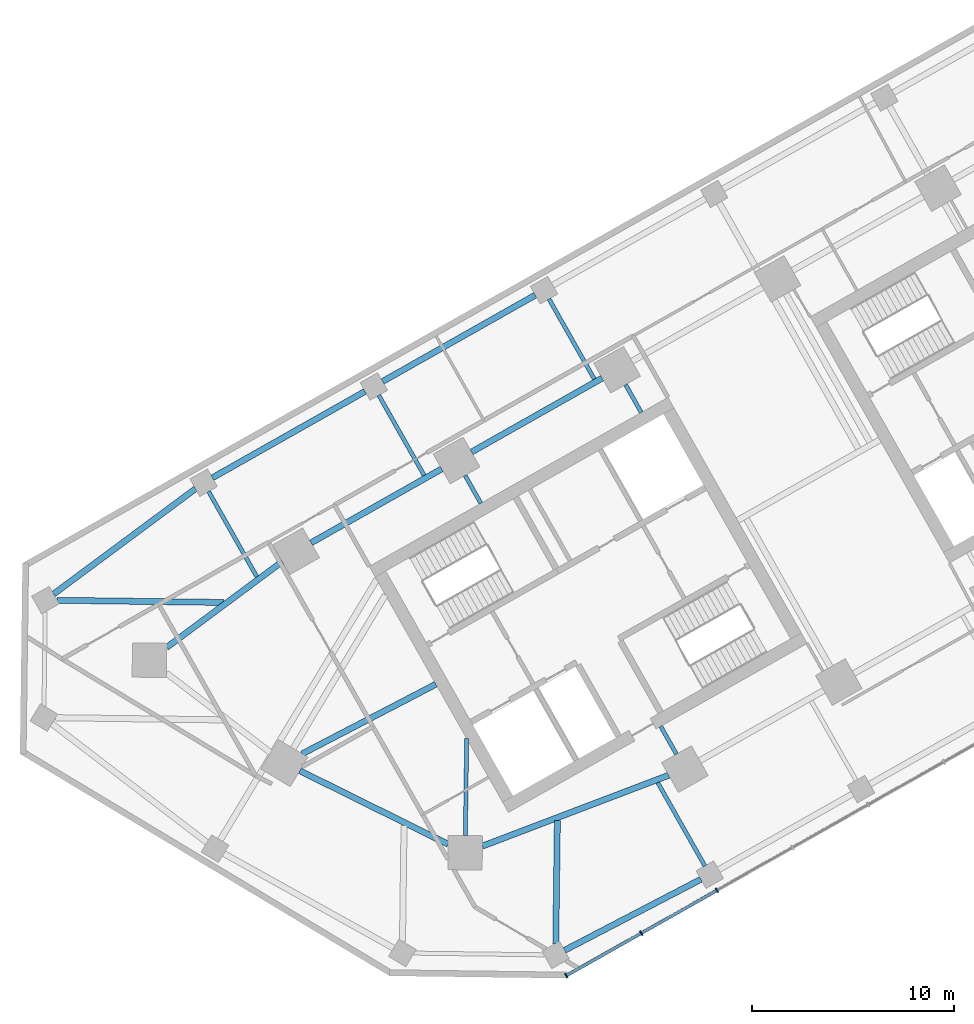
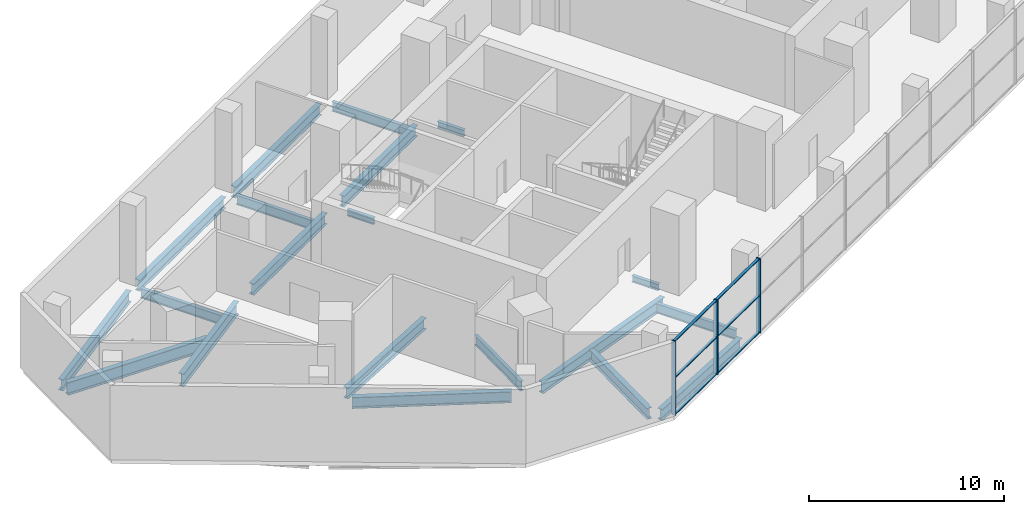
# One storey, part 2 of 18: 20 beams, 9 members, 1 element without a shape of its own.
"""IFC4 building model written with IfcOpenShell, lengths in metres."""

from ifc_helpers import new_model, si_unit, direction, frame, origin, origin_2d, place, context, subcontext, project, spatial, rectangle, i_section, extrude, material, material_profile, profile_set, type_object, element, aggregate, save


model = new_model("IFC4")

# Units and contexts
model_context = context("Model", 3, precision=1e-05, world=origin(), true_north=direction((0.0, 1.0)))
body_context = subcontext(model_context, "Body", "Model", "MODEL_VIEW")
ifc_project = project(units=[si_unit("LENGTHUNIT", "METRE"), si_unit("AREAUNIT", "SQUARE_METRE"), si_unit("VOLUMEUNIT", "CUBIC_METRE"), si_unit("PLANEANGLEUNIT", "RADIAN"), si_unit("MASSUNIT", "GRAM", prefix="KILO")], contexts=[model_context])

# Site, building, storey
site_placement = place(None, origin())
site = spatial("IfcSite", under=ifc_project, at=site_placement, CompositionType="ELEMENT")
building_placement = place(site_placement, origin())
building = spatial("IfcBuilding", under=site, at=building_placement, Name="Binnacle Exchange Tower", CompositionType="ELEMENT")
storey_placement = place(building_placement, frame((0.0, 0.0, 11.5)))
storey = spatial("IfcBuildingStorey", under=building, at=storey_placement, Name="L02", CompositionType="ELEMENT", Elevation=11.5)

# Curtain wall, members
ifc_material_1 = material(Name="Bronze anodised aluminium frame", Category="aluminium")
curtain_wall_type = type_object("IfcCurtainWallType", Name="External wall - curtain wall podium harbour front", PredefinedType="NOTDEFINED", material=ifc_material_1)
curtain_wall_placement = place(storey_placement, origin())
curtain_wall = element("IfcCurtainWall", 1, at=curtain_wall_placement, inside=storey, type_object=curtain_wall_type, Name="External wall curtain wall CW3-P06 L02", PredefinedType="NOTDEFINED")
ifc_material_profile_1 = material_profile(ifc_material_1, rectangle(XDim=0.25, YDim=0.070068359375, at=origin_2d()), Name="AL 70x250")
ifc_profile_set_1 = profile_set([ifc_material_profile_1], Name="Bronze anodised aluminium frame")
member_type_1 = type_object("IfcMemberType", Name="CW3 MULLION 70x250", PredefinedType="MULLION", material=ifc_profile_set_1)
member_1_placement = place(storey_placement, frame((-36.85400390625, 21.404052734375, 0.0), z_axis=(0.0, 0.0, 1.0), x_axis=(-0.492423763004, 0.870355581144, 0.0)))
member_1 = element("IfcMember", 2, at=member_1_placement, type_object=member_type_1, Name="CW3-P06 mullion 1", PredefinedType="MULLION", context=body_context, shape_type="SweptSolid", body=[
    extrude(rectangle(XDim=0.25, YDim=0.070068359375, at=origin_2d()), origin(), (0.0, 0.0, 1.0), 4.64990234375),
])
member_2_placement = place(storey_placement, frame((-33.136962890625, 23.50732421875, 0.0), z_axis=(0.0, 0.0, 1.0), x_axis=(-0.492423763004, 0.870355581144, 0.0)))
member_2 = element("IfcMember", 3, at=member_2_placement, type_object=member_type_1, Name="CW3-P06 mullion 2", PredefinedType="MULLION", context=body_context, shape_type="SweptSolid", body=[
    extrude(rectangle(XDim=0.25, YDim=0.070068359375, at=origin_2d()), origin(), (0.0, 0.0, 1.0), 4.64990234375),
])
member_3_placement = place(storey_placement, frame((-29.38916015625, 25.62744140625, 0.0), z_axis=(0.0, 0.0, 1.0), x_axis=(-0.492423763004, 0.870355581144, 0.0)))
member_3 = element("IfcMember", 4, at=member_3_placement, type_object=member_type_1, Name="CW3-P06 mullion 3", PredefinedType="MULLION", context=body_context, shape_type="SweptSolid", body=[
    extrude(rectangle(XDim=0.25, YDim=0.070068359375, at=origin_2d()), origin(), (0.0, 0.0, 1.0), 4.64990234375),
])
ifc_material_profile_2 = material_profile(ifc_material_1, rectangle(XDim=0.159912109375, YDim=0.050048828125, at=origin_2d()), Name="AL 160x50")
ifc_profile_set_2 = profile_set([ifc_material_profile_2], Name="Bronze anodised aluminium frame")
member_type_2 = type_object("IfcMemberType", Name="CW3 TRANSOM 50x160", PredefinedType="USERDEFINED", material=ifc_profile_set_2)
member_4_placement = place(storey_placement, frame((-36.823486328125, 21.42138671875, 0.02490234375), z_axis=(0.870356022884, 0.492422982231, 0.0), x_axis=(-0.492422982231, 0.870356022884, 0.0)))
member_4 = element("IfcMember", 5, at=member_4_placement, type_object=member_type_2, Name="CW3-P06 transom 1.1", ObjectType="TRANSOM", PredefinedType="USERDEFINED", context=body_context, shape_type="SweptSolid", body=[
    extrude(rectangle(XDim=0.159912109375, YDim=0.050048828125, at=origin_2d()), origin(), (0.0, 0.0, 1.0), 4.200927734375),
])
member_5_placement = place(storey_placement, frame((-36.823486328125, 21.42138671875, 2.324951171875), z_axis=(0.870356022884, 0.492422982231, 0.0), x_axis=(-0.492422982231, 0.870356022884, 0.0)))
member_5 = element("IfcMember", 6, at=member_5_placement, type_object=member_type_2, Name="CW3-P06 transom 1.2", ObjectType="TRANSOM", PredefinedType="USERDEFINED", context=body_context, shape_type="SweptSolid", body=[
    extrude(rectangle(XDim=0.159912109375, YDim=0.050048828125, at=origin_2d()), origin(), (0.0, 0.0, 1.0), 4.200927734375),
])
member_6_placement = place(storey_placement, frame((-36.823486328125, 21.42138671875, 4.625), z_axis=(0.870356022884, 0.492422982231, 0.0), x_axis=(-0.492422982231, 0.870356022884, 0.0)))
member_6 = element("IfcMember", 7, at=member_6_placement, type_object=member_type_2, Name="CW3-P06 transom 1.3", ObjectType="TRANSOM", PredefinedType="USERDEFINED", context=body_context, shape_type="SweptSolid", body=[
    extrude(rectangle(XDim=0.159912109375, YDim=0.050048828125, at=origin_2d()), origin(), (0.0, 0.0, 1.0), 4.200927734375),
])
member_7_placement = place(storey_placement, frame((-33.1064453125, 23.5244140625, 0.02490234375), z_axis=(0.870349143132, 0.492435141972, 0.0), x_axis=(-0.492435141972, 0.870349143132, 0.0)))
member_7 = element("IfcMember", 8, at=member_7_placement, type_object=member_type_2, Name="CW3-P06 transom 2.1", ObjectType="TRANSOM", PredefinedType="USERDEFINED", context=body_context, shape_type="SweptSolid", body=[
    extrude(rectangle(XDim=0.159912109375, YDim=0.050048828125, at=origin_2d()), origin(), (0.0, 0.0, 1.0), 4.236083984375),
])
member_8_placement = place(storey_placement, frame((-33.1064453125, 23.5244140625, 2.324951171875), z_axis=(0.870349143132, 0.492435141972, 0.0), x_axis=(-0.492435141972, 0.870349143132, 0.0)))
member_8 = element("IfcMember", 9, at=member_8_placement, type_object=member_type_2, Name="CW3-P06 transom 2.2", ObjectType="TRANSOM", PredefinedType="USERDEFINED", context=body_context, shape_type="SweptSolid", body=[
    extrude(rectangle(XDim=0.159912109375, YDim=0.050048828125, at=origin_2d()), origin(), (0.0, 0.0, 1.0), 4.236083984375),
])
member_9_placement = place(storey_placement, frame((-33.1064453125, 23.5244140625, 4.625), z_axis=(0.870349143132, 0.492435141972, 0.0), x_axis=(-0.492435141972, 0.870349143132, 0.0)))
member_9 = element("IfcMember", 10, at=member_9_placement, type_object=member_type_2, Name="CW3-P06 transom 2.3", ObjectType="TRANSOM", PredefinedType="USERDEFINED", context=body_context, shape_type="SweptSolid", body=[
    extrude(rectangle(XDim=0.159912109375, YDim=0.050048828125, at=origin_2d()), origin(), (0.0, 0.0, 1.0), 4.236083984375),
])
aggregate(curtain_wall, [member_1, member_2, member_3, member_4, member_5, member_6, member_7, member_8, member_9])

# Beams
ifc_material_2 = material(Name="Steel S355 (SHN355)", Category="steel")
ifc_material_profile_3 = material_profile(ifc_material_2, i_section(OverallWidth=0.300048828125, OverallDepth=0.699951171875, WebThickness=0.012939453125, FlangeThickness=0.02392578125, FilletRadius=0.028076171875, at=origin_2d()), Name="H 700x300x13x24")
ifc_profile_set_3 = profile_set([ifc_material_profile_3], Name="Steel S355 (SHN355)")
beam_type_1 = type_object("IfcBeamType", Name="Edge girder H 700x300x13x24 Steel S355 (SHN355)", PredefinedType="SPANDREL", material=ifc_profile_set_3)
beam_1_placement = place(storey_placement, frame((-62.2421875, 40.302978515625, -0.699951171875), z_axis=(0.803179419827, 0.5957372068, 0.0), x_axis=(-0.5957372068, 0.803179419827, 0.0)))
element("IfcBeam", 11, at=beam_1_placement, inside=storey, type_object=beam_type_1, Name="S:BM:edge:L02:015", PredefinedType="SPANDREL", context=body_context, shape_type="SweptSolid", body=[
    extrude(i_section(OverallWidth=0.300048828125, OverallDepth=0.699951171875, WebThickness=0.012939453125, FlangeThickness=0.02392578125, FilletRadius=0.028076171875, at=origin_2d()), origin(), (0.0, 0.0, 1.0), 8.750244140625),
])
beam_2_placement = place(storey_placement, frame((-54.374267578125, 46.06201171875, -0.699951171875), z_axis=(0.870345980185, 0.492440732247, 0.0), x_axis=(-0.492440732247, 0.870345980185, 0.0)))
element("IfcBeam", 12, at=beam_2_placement, inside=storey, type_object=beam_type_1, Name="S:BM:edge:L02:018", PredefinedType="SPANDREL", context=body_context, shape_type="SweptSolid", body=[
    extrude(i_section(OverallWidth=0.300048828125, OverallDepth=0.699951171875, WebThickness=0.012939453125, FlangeThickness=0.02392578125, FilletRadius=0.028076171875, at=origin_2d()), origin(), (0.0, 0.0, 1.0), 8.68408203125),
])
beam_3_placement = place(storey_placement, frame((-50.0478515625, 31.55224609375, -0.699951171875), z_axis=(0.896059216286, -0.443934545749, 0.0), x_axis=(0.443934545749, 0.896059216286, 0.0)))
element("IfcBeam", 13, at=beam_3_placement, inside=storey, type_object=beam_type_1, Name="S:BM:edge:L02:020", PredefinedType="SPANDREL", context=body_context, shape_type="SweptSolid", body=[
    extrude(i_section(OverallWidth=0.300048828125, OverallDepth=0.699951171875, WebThickness=0.012939453125, FlangeThickness=0.02392578125, FilletRadius=0.028076171875, at=origin_2d()), origin(), (0.0, 0.0, 1.0), 8.197509765625),
])
beam_4_placement = place(storey_placement, frame((-45.94580078125, 50.830810546875, -0.699951171875), z_axis=(0.870370078582, 0.492398138003, 0.0), x_axis=(-0.492398138003, 0.870370078582, 0.0)))
element("IfcBeam", 14, at=beam_4_placement, inside=storey, type_object=beam_type_1, Name="S:BM:edge:L02:021", PredefinedType="SPANDREL", context=body_context, shape_type="SweptSolid", body=[
    extrude(i_section(OverallWidth=0.300048828125, OverallDepth=0.699951171875, WebThickness=0.012939453125, FlangeThickness=0.02392578125, FilletRadius=0.028076171875, at=origin_2d()), origin(), (0.0, 0.0, 1.0), 8.683837890625),
])
beam_5_placement = place(storey_placement, frame((-43.019775390625, 46.5, -0.699951171875), z_axis=(-0.870364477798, -0.492408037898, 0.0), x_axis=(0.492408037898, -0.870364477798, 0.0)))
element("IfcBeam", 15, at=beam_5_placement, inside=storey, type_object=beam_type_1, Name="S:BM:edge:L02:023", PredefinedType="SPANDREL", context=body_context, shape_type="SweptSolid", body=[
    extrude(i_section(OverallWidth=0.300048828125, OverallDepth=0.699951171875, WebThickness=0.012939453125, FlangeThickness=0.02392578125, FilletRadius=0.028076171875, at=origin_2d()), origin(), (0.0, 0.0, 1.0), 7.4296875),
])
beam_6_placement = place(storey_placement, frame((-35.073486328125, 50.995849609375, -0.699951171875), z_axis=(-0.870372444894, -0.492393955253, 0.0), x_axis=(0.492393955253, -0.870372444894, 0.0)))
element("IfcBeam", 16, at=beam_6_placement, inside=storey, type_object=beam_type_1, Name="S:BM:edge:L02:027", PredefinedType="SPANDREL", context=body_context, shape_type="SweptSolid", body=[
    extrude(i_section(OverallWidth=0.300048828125, OverallDepth=0.699951171875, WebThickness=0.012939453125, FlangeThickness=0.02392578125, FilletRadius=0.028076171875, at=origin_2d()), origin(), (0.0, 0.0, 1.0), 7.429931640625),
])
beam_7_placement = place(storey_placement, frame((-30.184326171875, 26.17431640625, -0.699951171875), z_axis=(-0.88697979282, -0.461808236315, 0.0), x_axis=(0.461808236315, -0.88697979282, 0.0)))
element("IfcBeam", 17, at=beam_7_placement, inside=storey, type_object=beam_type_1, Name="S:BM:edge:L02:029", PredefinedType="SPANDREL", context=body_context, shape_type="SweptSolid", body=[
    extrude(i_section(OverallWidth=0.300048828125, OverallDepth=0.699951171875, WebThickness=0.012939453125, FlangeThickness=0.02392578125, FilletRadius=0.028076171875, at=origin_2d()), origin(), (0.0, 0.0, 1.0), 7.610107421875),
])
ifc_material_profile_4 = material_profile(ifc_material_2, i_section(OverallWidth=0.302001953125, OverallDepth=0.7080078125, WebThickness=0.014892578125, FlangeThickness=0.028076171875, FilletRadius=0.028076171875, at=origin_2d()), Name="H 708x302x15x28")
ifc_profile_set_4 = profile_set([ifc_material_profile_4], Name="Steel S355 (SHN355)")
beam_type_2 = type_object("IfcBeamType", Name="Edge girder H 708x302x15x28 Steel S355 (SHN355)", PredefinedType="SPANDREL", material=ifc_profile_set_4)
beam_8_placement = place(storey_placement, frame((-41.00341796875, 27.81982421875, -0.7041015625), z_axis=(0.934628738252, 0.355624973297, 0.0), x_axis=(-0.355624973297, 0.934628738252, 0.0)))
element("IfcBeam", 18, at=beam_8_placement, inside=storey, type_object=beam_type_2, Name="S:BM:edge:L02:024", PredefinedType="SPANDREL", context=body_context, shape_type="SweptSolid", body=[
    extrude(i_section(OverallWidth=0.302001953125, OverallDepth=0.7080078125, WebThickness=0.014892578125, FlangeThickness=0.028076171875, FilletRadius=0.028076171875, at=origin_2d()), origin(), (0.0, 0.0, 1.0), 9.869384765625),
])
ifc_material_profile_5 = material_profile(ifc_material_2, i_section(OverallWidth=0.300048828125, OverallDepth=0.800048828125, WebThickness=0.013916015625, FlangeThickness=0.02587890625, FilletRadius=0.028076171875, at=origin_2d()), Name="H 800x300x14x26")
ifc_profile_set_5 = profile_set([ifc_material_profile_5], Name="Steel S355 (SHN355)")
beam_type_3 = type_object("IfcBeamType", Name="Edge girder H 800x300x14x26 Steel S355 (SHN355)", PredefinedType="SPANDREL", material=ifc_profile_set_5)
beam_9_placement = place(storey_placement, frame((-50.913818359375, 41.912353515625, -0.75), z_axis=(-0.80288535334, -0.59613346609, 0.0), x_axis=(0.59613346609, -0.80288535334, 0.0)))
element("IfcBeam", 19, at=beam_9_placement, inside=storey, type_object=beam_type_3, Name="S:BM:edge:L02:019", PredefinedType="SPANDREL", context=body_context, shape_type="SweptSolid", body=[
    extrude(i_section(OverallWidth=0.300048828125, OverallDepth=0.800048828125, WebThickness=0.013916015625, FlangeThickness=0.02587890625, FilletRadius=0.028076171875, at=origin_2d()), origin(), (0.0, 0.0, 1.0), 7.125244140625),
])
ifc_material_profile_6 = material_profile(ifc_material_2, i_section(OverallWidth=0.199951171875, OverallDepth=0.39990234375, WebThickness=0.008056640625, FlangeThickness=0.012939453125, FilletRadius=0.01611328125, at=origin_2d()), Name="H 400x200x8x13")
ifc_profile_set_6 = profile_set([ifc_material_profile_6], Name="Steel S355 (SHN355)")
beam_type_4 = type_object("IfcBeamType", Name="Floor beam H 400x200x8x13 Steel S355 (SHN355)", PredefinedType="BEAM", material=ifc_profile_set_6)
beam_10_placement = place(storey_placement, frame((-41.861328125, 46.178955078125, -0.550048828125), z_axis=(0.492366981934, -0.870387703901, 0.0), x_axis=(0.870387703901, 0.492366981934, 0.0)))
element("IfcBeam", 20, at=beam_10_placement, inside=storey, type_object=beam_type_4, Name="S:BM:cross:L02:083", PredefinedType="BEAM", context=body_context, shape_type="SweptSolid", body=[
    extrude(i_section(OverallWidth=0.199951171875, OverallDepth=0.39990234375, WebThickness=0.008056640625, FlangeThickness=0.012939453125, FilletRadius=0.01611328125, at=origin_2d()), origin(), (0.0, 0.0, 1.0), 1.584228515625),
])
beam_11_placement = place(storey_placement, frame((-33.915283203125, 50.674560546875, -0.550048828125), z_axis=(0.492483715062, -0.870321659158, 0.0), x_axis=(0.870321659158, 0.492483715062, 0.0)))
element("IfcBeam", 21, at=beam_11_placement, inside=storey, type_object=beam_type_4, Name="S:BM:cross:L02:087", PredefinedType="BEAM", context=body_context, shape_type="SweptSolid", body=[
    extrude(i_section(OverallWidth=0.199951171875, OverallDepth=0.39990234375, WebThickness=0.008056640625, FlangeThickness=0.012939453125, FilletRadius=0.01611328125, at=origin_2d()), origin(), (0.0, 0.0, 1.0), 1.58447265625),
])
beam_12_placement = place(storey_placement, frame((-31.394287109375, 32.375, -0.550048828125), z_axis=(-0.492366981934, 0.870387703901, 0.0), x_axis=(-0.870387703901, -0.492366981934, 0.0)))
element("IfcBeam", 22, at=beam_12_placement, inside=storey, type_object=beam_type_4, Name="S:BM:cross:L02:088", PredefinedType="BEAM", context=body_context, shape_type="SweptSolid", body=[
    extrude(i_section(OverallWidth=0.199951171875, OverallDepth=0.39990234375, WebThickness=0.008056640625, FlangeThickness=0.012939453125, FilletRadius=0.01611328125, at=origin_2d()), origin(), (0.0, 0.0, 1.0), 1.584228515625),
])
ifc_material_profile_7 = material_profile(ifc_material_2, i_section(OverallWidth=0.199951171875, OverallDepth=0.60009765625, WebThickness=0.010986328125, FlangeThickness=0.01708984375, FilletRadius=0.02197265625, at=origin_2d()), Name="H 600x200x11x17")
ifc_profile_set_7 = profile_set([ifc_material_profile_7], Name="Steel S355 (SHN355)")
beam_type_5 = type_object("IfcBeamType", Name="Floor beam H 600x200x11x17 Steel S355 (SHN355)", PredefinedType="BEAM", material=ifc_profile_set_7)
beam_13_placement = place(storey_placement, frame((-46.134765625, 50.1494140625, -0.64990234375), z_axis=(0.492392410291, -0.87037331892, 0.0), x_axis=(0.87037331892, 0.492392410291, 0.0)))
element("IfcBeam", 23, at=beam_13_placement, inside=storey, type_object=beam_type_5, Name="S:BM:cross:L02:081", PredefinedType="BEAM", context=body_context, shape_type="SweptSolid", body=[
    extrude(i_section(OverallWidth=0.199951171875, OverallDepth=0.60009765625, WebThickness=0.010986328125, FlangeThickness=0.01708984375, FilletRadius=0.02197265625, at=origin_2d()), origin(), (0.0, 0.0, 1.0), 4.56005859375),
])
beam_14_placement = place(storey_placement, frame((-37.706298828125, 54.917724609375, -0.64990234375), z_axis=(0.492415355874, -0.870360337619, 0.0), x_axis=(0.870360337619, 0.492415355874, 0.0)))
element("IfcBeam", 24, at=beam_14_placement, inside=storey, type_object=beam_type_5, Name="S:BM:cross:L02:085", PredefinedType="BEAM", context=body_context, shape_type="SweptSolid", body=[
    extrude(i_section(OverallWidth=0.199951171875, OverallDepth=0.60009765625, WebThickness=0.010986328125, FlangeThickness=0.01708984375, FilletRadius=0.02197265625, at=origin_2d()), origin(), (0.0, 0.0, 1.0), 4.559814453125),
])
beam_15_placement = place(storey_placement, frame((-29.98681640625, 26.840576171875, -0.64990234375), z_axis=(-0.492417108435, 0.870359346087, 0.0), x_axis=(-0.870359346087, -0.492417108435, 0.0)))
element("IfcBeam", 25, at=beam_15_placement, inside=storey, type_object=beam_type_5, Name="S:BM:cross:L02:089", PredefinedType="BEAM", context=body_context, shape_type="SweptSolid", body=[
    extrude(i_section(OverallWidth=0.199951171875, OverallDepth=0.60009765625, WebThickness=0.010986328125, FlangeThickness=0.01708984375, FilletRadius=0.02197265625, at=origin_2d()), origin(), (0.0, 0.0, 1.0), 4.73876953125),
])
ifc_material_profile_8 = material_profile(ifc_material_2, i_section(OverallWidth=0.200927734375, OverallDepth=0.60595703125, WebThickness=0.011962890625, FlangeThickness=0.02001953125, FilletRadius=0.02197265625, at=origin_2d()), Name="H 606x201x12x20")
ifc_profile_set_8 = profile_set([ifc_material_profile_8], Name="Steel S355 (SHN355)")
beam_type_6 = type_object("IfcBeamType", Name="Floor beam H 606x201x12x20 Steel S355 (SHN355)", PredefinedType="BEAM", material=ifc_profile_set_8)
beam_16_placement = place(storey_placement, frame((-54.563232421875, 45.380615234375, -0.653076171875), z_axis=(0.492430552239, -0.870351739943, 0.0), x_axis=(0.870351739943, 0.492430552239, 0.0)))
element("IfcBeam", 26, at=beam_16_placement, inside=storey, type_object=beam_type_6, Name="S:BM:cross:L02:078", PredefinedType="BEAM", context=body_context, shape_type="SweptSolid", body=[
    extrude(i_section(OverallWidth=0.200927734375, OverallDepth=0.60595703125, WebThickness=0.011962890625, FlangeThickness=0.02001953125, FilletRadius=0.02197265625, at=origin_2d()), origin(), (0.0, 0.0, 1.0), 4.848388671875),
])
beam_17_placement = place(storey_placement, frame((-41.8466796875, 28.3447265625, -0.653076171875), z_axis=(0.013120628196, 0.999913920853, 0.0), x_axis=(-0.999913920853, 0.013120628196, 0.0)))
element("IfcBeam", 27, at=beam_17_placement, inside=storey, type_object=beam_type_6, Name="S:BM:cross:L02:084", PredefinedType="BEAM", context=body_context, shape_type="SweptSolid", body=[
    extrude(i_section(OverallWidth=0.200927734375, OverallDepth=0.60595703125, WebThickness=0.011962890625, FlangeThickness=0.02001953125, FilletRadius=0.02197265625, at=origin_2d()), origin(), (0.0, 0.0, 1.0), 4.80078125),
])
ifc_material_profile_9 = material_profile(ifc_material_2, i_section(OverallWidth=0.300048828125, OverallDepth=0.699951171875, WebThickness=0.012939453125, FlangeThickness=0.02392578125, FilletRadius=0.028076171875, at=origin_2d()), Name="H 700x300x13x24")
ifc_profile_set_9 = profile_set([ifc_material_profile_9], Name="Steel S355 (SHN355)")
beam_type_7 = type_object("IfcBeamType", Name="Floor beam H 700x300x13x24 Steel S355 (SHN355)", PredefinedType="BEAM", material=ifc_profile_set_9)
beam_18_placement = place(storey_placement, frame((-37.37060546875, 23.0078125, -0.699951171875), z_axis=(0.013099663551, 0.999914195726, 0.0), x_axis=(-0.999914195726, 0.013099663551, 0.0)))
element("IfcBeam", 28, at=beam_18_placement, inside=storey, type_object=beam_type_7, Name="S:BM:cross:L02:086", PredefinedType="BEAM", context=body_context, shape_type="SweptSolid", body=[
    extrude(i_section(OverallWidth=0.300048828125, OverallDepth=0.699951171875, WebThickness=0.012939453125, FlangeThickness=0.02392578125, FilletRadius=0.028076171875, at=origin_2d()), origin(), (0.0, 0.0, 1.0), 6.07568359375),
])
ifc_material_profile_10 = material_profile(ifc_material_2, i_section(OverallWidth=0.300048828125, OverallDepth=0.800048828125, WebThickness=0.013916015625, FlangeThickness=0.02587890625, FilletRadius=0.028076171875, at=origin_2d()), Name="H 800x300x14x26")
ifc_profile_set_10 = profile_set([ifc_material_profile_10], Name="Steel S355 (SHN355)")
beam_type_8 = type_object("IfcBeamType", Name="Floor beam H 800x300x14x26 Steel S355 (SHN355)", PredefinedType="BEAM", material=ifc_profile_set_10)
beam_19_placement = place(storey_placement, frame((-62.068115234375, 39.995361328125, -0.75), z_axis=(0.999914190197, -0.013100085584, 0.0), x_axis=(0.013100085584, 0.999914190197, 0.0)))
element("IfcBeam", 29, at=beam_19_placement, inside=storey, type_object=beam_type_8, Name="S:BM:cross:L02:077", PredefinedType="BEAM", context=body_context, shape_type="SweptSolid", body=[
    extrude(i_section(OverallWidth=0.300048828125, OverallDepth=0.800048828125, WebThickness=0.013916015625, FlangeThickness=0.02587890625, FilletRadius=0.028076171875, at=origin_2d()), origin(), (0.0, 0.0, 1.0), 8.274658203125),
])
ifc_material_profile_11 = material_profile(ifc_material_2, i_section(OverallWidth=0.300048828125, OverallDepth=0.699951171875, WebThickness=0.012939453125, FlangeThickness=0.02392578125, FilletRadius=0.028076171875, at=origin_2d()), Name="H 700x300x13x24")
ifc_profile_set_11 = profile_set([ifc_material_profile_11], Name="Steel S355 (SHN355)")
beam_type_9 = type_object("IfcBeamType", Name="Spine girder H 700x300x13x24 Steel S355 (SHN355)", PredefinedType="BEAM", material=ifc_profile_set_11)
beam_20_placement = place(storey_placement, frame((-49.927734375, 32.391357421875, -0.699951171875), z_axis=(0.886979965344, 0.461807904954, 0.0), x_axis=(-0.461807904954, 0.886979965344, 0.0)))
element("IfcBeam", 30, at=beam_20_placement, inside=storey, type_object=beam_type_9, Name="S:BM:spine:L02:001", PredefinedType="BEAM", context=body_context, shape_type="SweptSolid", body=[
    extrude(i_section(OverallWidth=0.300048828125, OverallDepth=0.699951171875, WebThickness=0.012939453125, FlangeThickness=0.02392578125, FilletRadius=0.028076171875, at=origin_2d()), origin(), (0.0, 0.0, 1.0), 7.463623046875),
])

save(model, "model.ifc")
